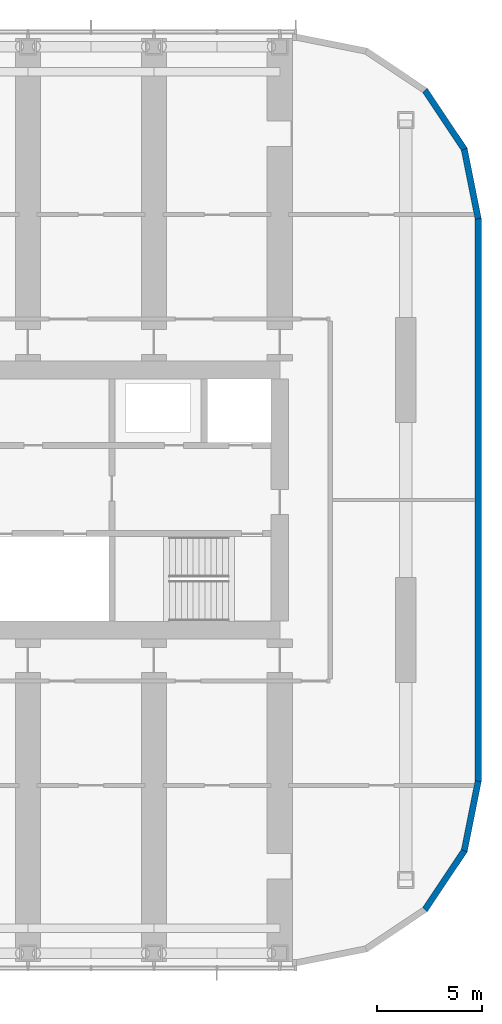
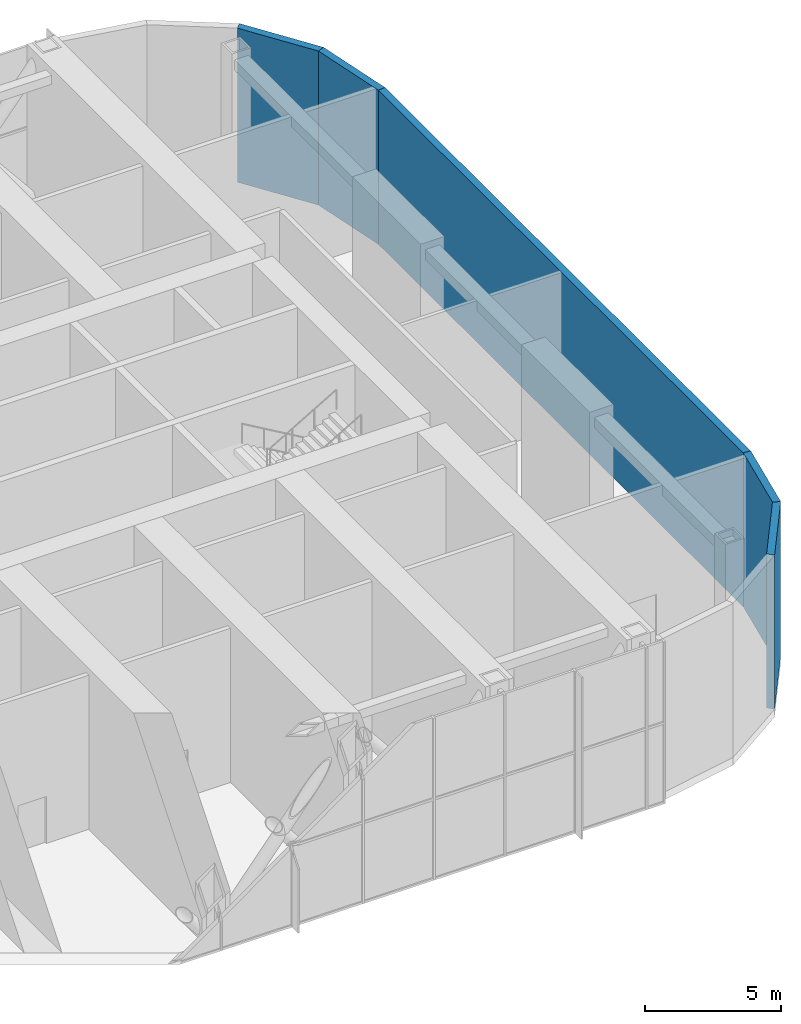
# One storey, part 13 of 22: 5 walls.
"""IFC4 building model written with IfcOpenShell, lengths in metres."""

from ifc_helpers import new_model, si_unit, direction, frame, origin, place, context, subcontext, project, spatial, polyline, outline, extrude, material, layer, layer_set, type_object, element, save


model = new_model("IFC4")

# Units and contexts
model_context = context("Model", 3, precision=1e-05, world=origin(), true_north=direction((0.0, 1.0)))
body_context = subcontext(model_context, "Body", "Model", "MODEL_VIEW")
ifc_project = project(units=[si_unit("LENGTHUNIT", "METRE"), si_unit("AREAUNIT", "SQUARE_METRE"), si_unit("VOLUMEUNIT", "CUBIC_METRE"), si_unit("PLANEANGLEUNIT", "RADIAN"), si_unit("MASSUNIT", "GRAM", prefix="KILO")], contexts=[model_context])

# Site, building, storey
site_placement = place(None, origin())
site = spatial("IfcSite", under=ifc_project, at=site_placement, CompositionType="ELEMENT")
building_placement = place(site_placement, origin())
building = spatial("IfcBuilding", under=site, at=building_placement, Name="Orbita Commons", CompositionType="ELEMENT")
storey_placement = place(building_placement, frame((0.0, 0.0, 201.10009765625)))
storey = spatial("IfcBuildingStorey", under=building, at=storey_placement, Name="L50", CompositionType="ELEMENT", Elevation=201.10009765625)

# Walls
ifc_material = material(Name="Precast concrete C40/50, white board-marked finish", Category="concrete")
ifc_layer = layer(ifc_material, 0.300048828125)
ifc_layer_set = layer_set([ifc_layer], Name="Precast concrete C40/50, white board-marked finish")
wall_type = type_object("IfcWallType", Name="Precast concrete end shield 300", PredefinedType="SOLIDWALL", material=ifc_layer_set)
wall_1_placement = place(storey_placement, frame((75.449951171875, 18.60009765625, 0.0), z_axis=(0.0, 0.0, 1.0), x_axis=(0.0, 1.0, 0.0)))
element("IfcWall", 1, at=wall_1_placement, inside=storey, type_object=wall_type, Name="End shield E L50", PredefinedType="SOLIDWALL", context=body_context, shape_type="SweptSolid", body=[
    extrude(outline(polyline([(-0.014892578125, -0.14990234375), (26.814697265625, -0.14990234375), (26.784912109375, 0.14990234375), (0.014892578125, 0.14990234375), (-0.014892578125, -0.14990234375)])), origin(), (0.0, 0.0, 1.0), 6.89990234375),
])
wall_2_placement = place(storey_placement, frame((72.91650390625, 12.4833984375, 0.0), z_axis=(0.0, 0.0, 1.0), x_axis=(0.555534554399, 0.831493450887, 0.0)))
element("IfcWall", 2, at=wall_2_placement, inside=storey, type_object=wall_type, Name="End shield SE chord 3 L50", PredefinedType="SOLIDWALL", context=body_context, shape_type="SweptSolid", body=[
    extrude(outline(polyline([(-0.02978515625, -0.14990234375), (3.405029296875, -0.14990234375), (3.345458984375, 0.14990234375), (0.02978515625, 0.14990234375), (-0.02978515625, -0.14990234375)])), origin(), (0.0, 0.0, 1.0), 6.89990234375),
])
wall_3_placement = place(storey_placement, frame((74.79150390625, 15.289794921875, 0.0), z_axis=(0.0, 0.0, 1.0), x_axis=(0.19508664885, 0.980786011034, 0.0)))
element("IfcWall", 3, at=wall_3_placement, inside=storey, type_object=wall_type, Name="End shield SE chord 4 L50", PredefinedType="SOLIDWALL", context=body_context, shape_type="SweptSolid", body=[
    extrude(outline(polyline([(-0.02978515625, -0.14990234375), (3.39013671875, -0.14990234375), (3.3603515625, 0.14990234375), (0.02978515625, 0.14990234375), (-0.02978515625, -0.14990234375)])), origin(), (0.0, 0.0, 1.0), 6.89990234375),
])
wall_4_placement = place(storey_placement, frame((75.449951171875, 45.39990234375, 0.0), z_axis=(0.0, 0.0, 1.0), x_axis=(-0.19508664885, 0.980786011034, 0.0)))
element("IfcWall", 4, at=wall_4_placement, inside=storey, type_object=wall_type, Name="End shield NE chord 1 L50", PredefinedType="SOLIDWALL", context=body_context, shape_type="SweptSolid", body=[
    extrude(outline(polyline([(-0.014892578125, -0.14990234375), (3.405029296875, -0.14990234375), (3.345458984375, 0.14990234375), (0.014892578125, 0.14990234375), (-0.014892578125, -0.14990234375)])), origin(), (0.0, 0.0, 1.0), 6.89990234375),
])
wall_5_placement = place(storey_placement, frame((74.79150390625, 48.710205078125, 0.0), z_axis=(0.0, 0.0, 1.0), x_axis=(-0.555534554399, 0.831493450887, 0.0)))
element("IfcWall", 5, at=wall_5_placement, inside=storey, type_object=wall_type, Name="End shield NE chord 2 L50", PredefinedType="SOLIDWALL", context=body_context, shape_type="SweptSolid", body=[
    extrude(outline(polyline([(-0.02978515625, -0.14990234375), (3.405029296875, -0.14990234375), (3.345458984375, 0.14990234375), (0.02978515625, 0.14990234375), (-0.02978515625, -0.14990234375)])), origin(), (0.0, 0.0, 1.0), 6.89990234375),
])

save(model, "model.ifc")
